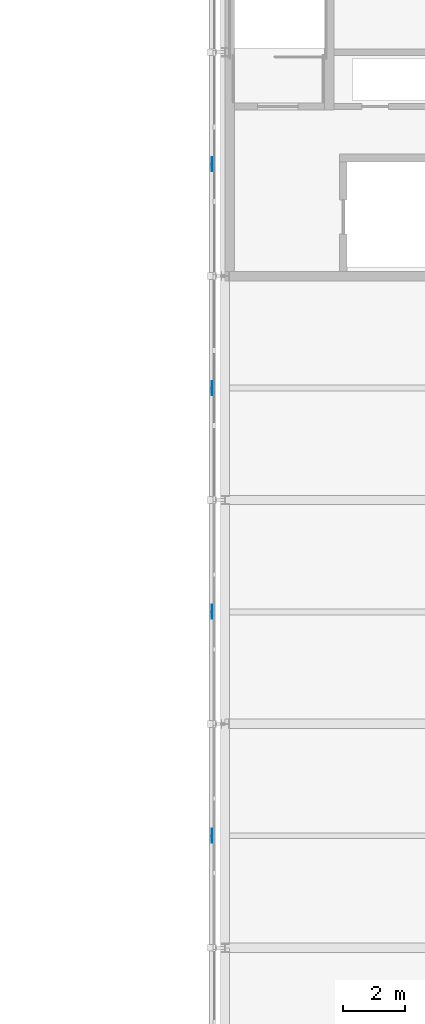
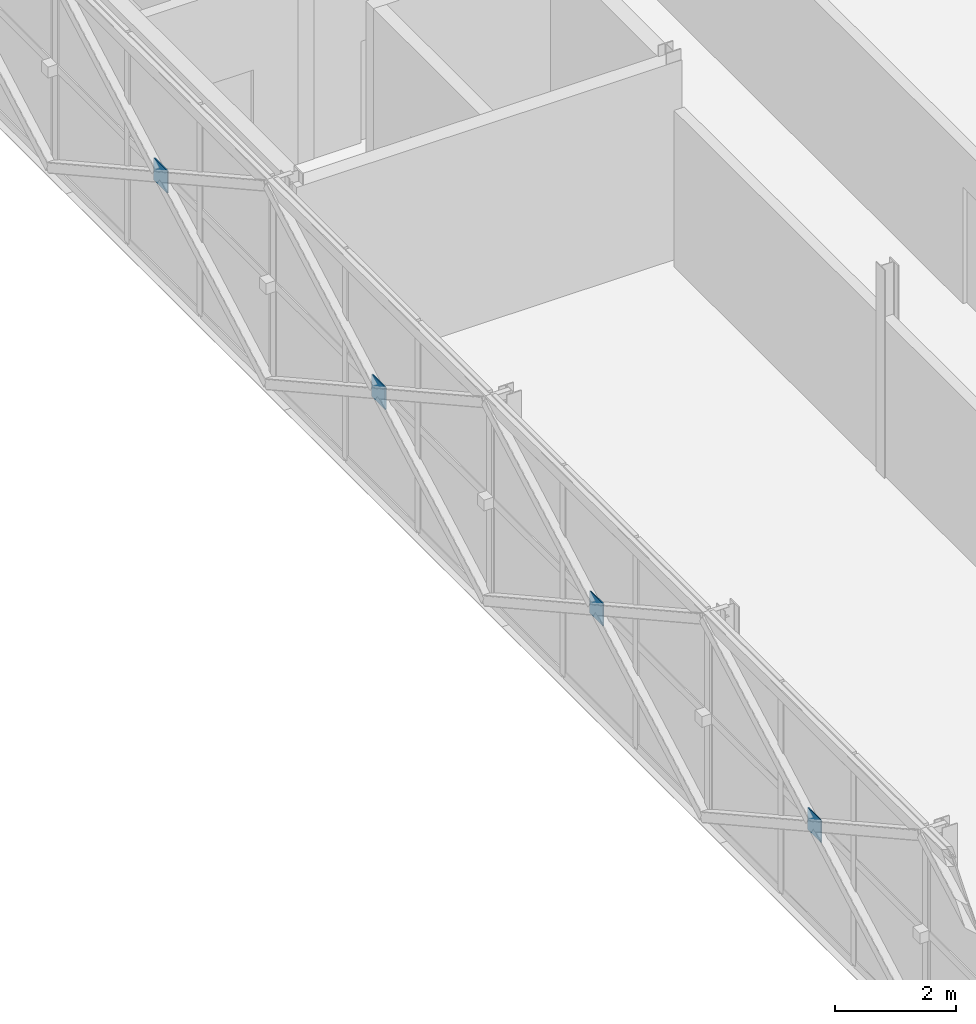
# One storey, part 115 of 146: 4 plates.
"""IFC4 building model written with IfcOpenShell, lengths in metres."""

from ifc_helpers import new_model, si_unit, direction, frame, origin, origin_2d, place, context, subcontext, project, spatial, rectangle, extrude, material, layer, layer_set, type_object, element, save


model = new_model("IFC4")

# Units and contexts
model_context = context("Model", 3, precision=1e-05, world=origin(), true_north=direction((0.0, 1.0)))
body_context = subcontext(model_context, "Body", "Model", "MODEL_VIEW")
ifc_project = project(units=[si_unit("LENGTHUNIT", "METRE"), si_unit("AREAUNIT", "SQUARE_METRE"), si_unit("VOLUMEUNIT", "CUBIC_METRE"), si_unit("PLANEANGLEUNIT", "RADIAN"), si_unit("MASSUNIT", "GRAM", prefix="KILO")], contexts=[model_context])

# Site, building, storey
site_placement = place(None, origin())
site = spatial("IfcSite", under=ifc_project, at=site_placement, CompositionType="ELEMENT")
building_placement = place(site_placement, origin())
building = spatial("IfcBuilding", under=site, at=building_placement, Name="Zlatovets Crest Museum", CompositionType="ELEMENT")
storey_placement = place(building_placement, frame((0.0, 0.0, 4.5)))
storey = spatial("IfcBuildingStorey", under=building, at=storey_placement, Name="L01", CompositionType="ELEMENT", Elevation=4.5)

# Plates
ifc_material = material(Name="Structural steel S355J2", Category="steel")
ifc_layer = layer(ifc_material, 0.02001953125)
ifc_layer_set = layer_set([ifc_layer], Name="Structural steel S355J2")
plate_type = type_object("IfcPlateType", Name="Gusset_GP-04", PredefinedType="USERDEFINED", material=ifc_layer_set)
for number, where, z_axis, x_axis, name in (
    (1, (129.179931640625, 82.800048828125, 1.875), (0.0, 0.0, 1.0), (1.0, 0.0, 0.0), "X-Brace Crossing Node Gusset Plate GP-04"),
    (2, (129.179931640625, 75.60009765625, 1.875), (0.0, 0.0, 1.0), (1.0, 0.0, 0.0), "X-Brace Crossing Node Gusset Plate GP-04"),
    (3, (129.179931640625, 68.39990234375, 1.875), (0.0, 0.0, 1.0), (1.0, 0.0, 0.0), "X-Brace Crossing Node Gusset Plate GP-04"),
    (4, (129.179931640625, 61.199951171875, 1.875), (0.0, 0.0, 1.0), (1.0, 0.0, 0.0), "X-Brace Crossing Node Gusset Plate GP-04"),
):
    element("IfcPlate", number, at=place(storey_placement, frame(where, z_axis=z_axis, x_axis=x_axis)), inside=storey, type_object=plate_type, Name=name, ObjectType="GUSSET", PredefinedType="USERDEFINED", context=body_context, shape_type="SweptSolid", body=[
        extrude(rectangle(XDim=0.02001953125, YDim=0.449951171875, at=origin_2d()), origin(), (0.0, 0.0, 1.0), 0.449951171875),
    ])

save(model, "model.ifc")
